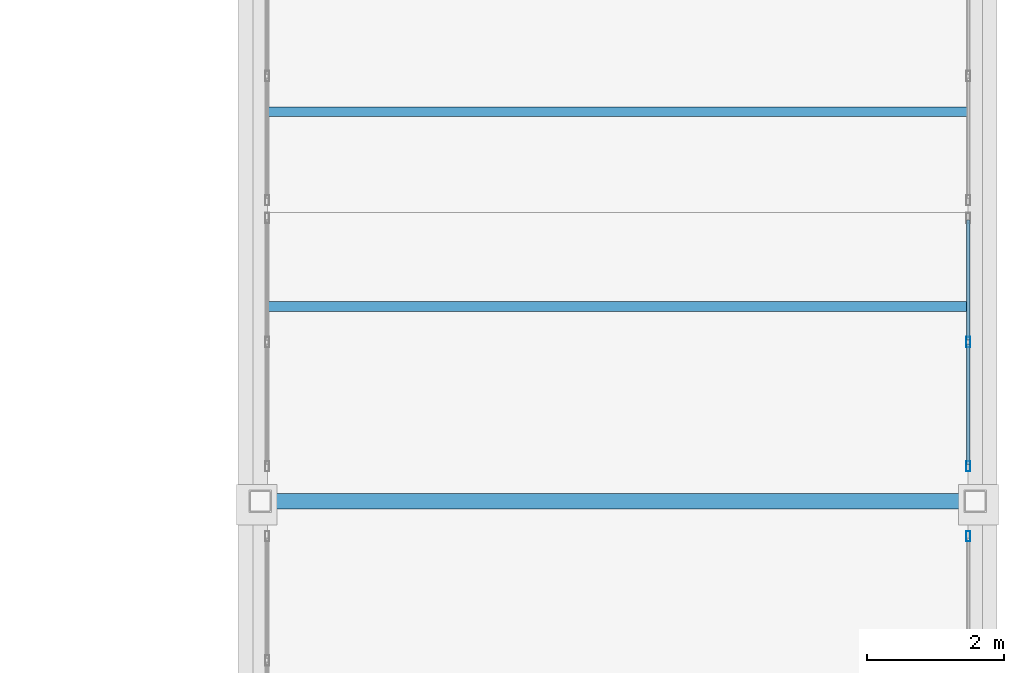
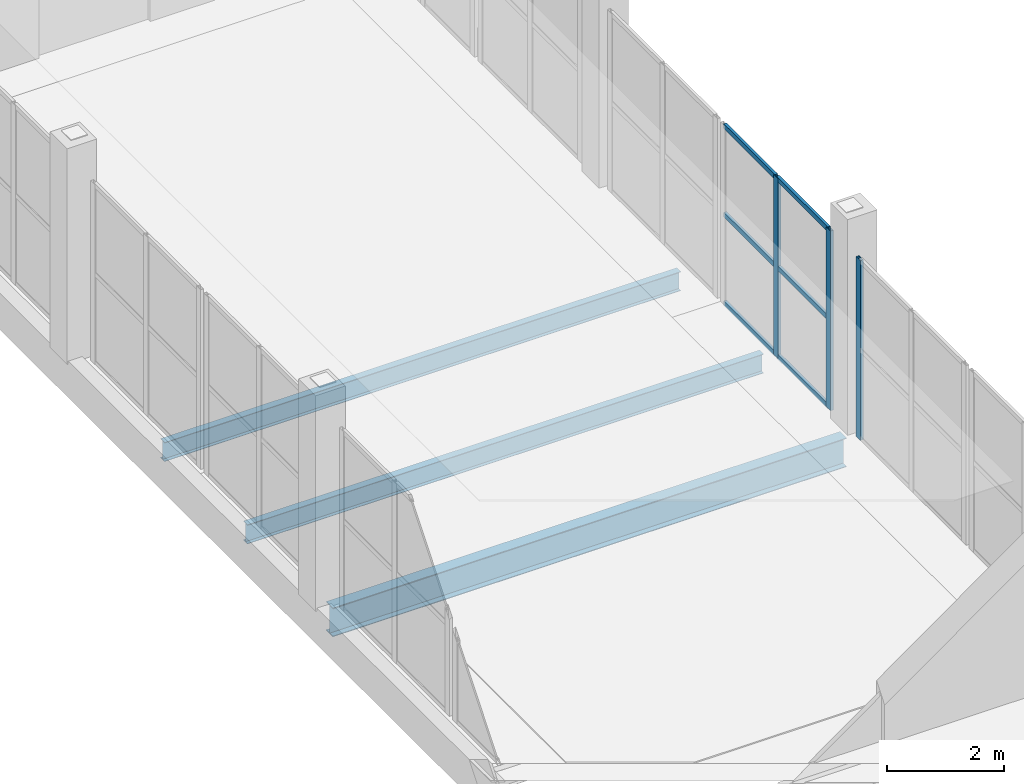
# One storey, part 76 of 156: 9 members, 3 beams, 2 elements without a shape of their own.
"""IFC4 building model written with IfcOpenShell, lengths in metres."""

from ifc_helpers import new_model, si_unit, direction, frame, origin, origin_2d, place, context, subcontext, project, spatial, hollow_rectangle, i_section, extrude, material, material_profile, profile_set, type_object, element, aggregate, save


model = new_model("IFC4")

# Units and contexts
model_context = context("Model", 3, precision=1e-05, world=origin(), true_north=direction((0.0, 1.0)))
body_context = subcontext(model_context, "Body", "Model", "MODEL_VIEW")
ifc_project = project(units=[si_unit("LENGTHUNIT", "METRE"), si_unit("AREAUNIT", "SQUARE_METRE"), si_unit("VOLUMEUNIT", "CUBIC_METRE"), si_unit("PLANEANGLEUNIT", "RADIAN"), si_unit("MASSUNIT", "GRAM", prefix="KILO")], contexts=[model_context])

# Site, building, storey
site_placement = place(None, origin())
site = spatial("IfcSite", under=ifc_project, at=site_placement, CompositionType="ELEMENT")
building_placement = place(site_placement, origin())
building = spatial("IfcBuilding", under=site, at=building_placement, Name="Caurita Quay Ferry Terminal", CompositionType="ELEMENT")
storey_placement = place(building_placement, frame((0.0, 0.0, 5.39990234375)))
storey = spatial("IfcBuildingStorey", under=building, at=storey_placement, Name="L01", CompositionType="ELEMENT", Elevation=5.39990234375)

# Beams
ifc_material_1 = material(Name="Structural steel ASTM A992 Gr. 50", Category="steel")
ifc_material_profile_1 = material_profile(ifc_material_1, i_section(OverallWidth=0.22802734375, OverallDepth=0.60205078125, WebThickness=0.010498046875, FlangeThickness=0.014892578125, at=origin_2d()), Name="W24X68")
ifc_profile_set_1 = profile_set([ifc_material_profile_1], Name="Structural steel ASTM A992 Gr. 50")
beam_type_1 = type_object("IfcBeamType", Name="BM-GR-W24C", PredefinedType="BEAM", material=ifc_profile_set_1)
beam_placement = place(storey_placement, frame((163.7294921875, 17.0, -0.535888671875), z_axis=(1.0, 0.0, 0.0), x_axis=(0.0, 1.0, 0.0)))
element("IfcBeam", 1, at=beam_placement, inside=storey, type_object=beam_type_1, Name="L01 Beam BM-V3P-L01-X-1637-170", PredefinedType="BEAM", context=body_context, shape_type="SweptSolid", body=[
    extrude(i_section(OverallWidth=0.22802734375, OverallDepth=0.60205078125, WebThickness=0.010498046875, FlangeThickness=0.014892578125, at=origin_2d()), origin(), (0.0, 0.0, 1.0), 10.14111328125),
])
ifc_material_profile_2 = material_profile(ifc_material_1, i_section(OverallWidth=0.139892578125, OverallDepth=0.39892578125, WebThickness=0.00634765625, FlangeThickness=0.0087890625, at=origin_2d()), Name="W16X26")
ifc_profile_set_2 = profile_set([ifc_material_profile_2], Name="Structural steel ASTM A992 Gr. 50")
beam_type_2 = type_object("IfcBeamType", Name="BM-JS-W16C", PredefinedType="JOIST", material=ifc_profile_set_2)
for number, where, z_axis, x_axis, name in (
    (2, (163.705322265625, 19.833251953125, -0.434326171875), (1.0, 0.0, 0.0), (0.0, 1.0, 0.0), "L01 Beam JS-V3P-L01-021"),
    (3, (163.705322265625, 22.666748046875, -0.434326171875), (1.0, 0.0, 0.0), (0.0, 1.0, 0.0), "L01 Beam JS-V3P-L01-022"),
):
    element("IfcBeam", number, at=place(storey_placement, frame(where, z_axis=z_axis, x_axis=x_axis)), inside=storey, type_object=beam_type_2, Name=name, PredefinedType="JOIST", context=body_context, shape_type="SweptSolid", body=[
        extrude(i_section(OverallWidth=0.139892578125, OverallDepth=0.39892578125, WebThickness=0.00634765625, FlangeThickness=0.0087890625, at=origin_2d()), origin(), (0.0, 0.0, 1.0), 10.189208984375),
    ])

# Curtain wall, member
ifc_material_2 = material(Name="Laminated solar-control insulated glass", Category="glass")
curtain_wall_type = type_object("IfcCurtainWallType", Name="CW-SYS-15", PredefinedType="NOTDEFINED", material=ifc_material_2)
curtain_wall_1_placement = place(storey_placement, origin())
curtain_wall_1 = element("IfcCurtainWall", 4, at=curtain_wall_1_placement, inside=storey, type_object=curtain_wall_type, Name="Boarding Gangway Ribbon Curtain Wall 131", PredefinedType="NOTDEFINED")
ifc_material_3 = material(Name="Anodized aluminium 6063-T6", Category="aluminium")
ifc_material_profile_3 = material_profile(ifc_material_3, hollow_rectangle(XDim=0.06005859375, YDim=0.14990234375, WallThickness=0.00341796875, at=origin_2d()), Name="ALU-MUL-60X150")
ifc_profile_set_3 = profile_set([ifc_material_profile_3], Name="Anodized aluminium 6063-T6")
member_type_1 = type_object("IfcMemberType", Name="CW-MUL-150", PredefinedType="MULLION", material=ifc_profile_set_3)
member_1_placement = place(storey_placement, frame((173.89990234375, 16.489990234375, 0.0), z_axis=(0.0, 0.0, 1.0), x_axis=(-1.0, 0.0, 0.0)))
member_1 = element("IfcMember", 5, at=member_1_placement, type_object=member_type_1, Name="CW-BGW-131 Mullion 3", PredefinedType="MULLION", context=body_context, shape_type="SweptSolid", body=[
    extrude(hollow_rectangle(XDim=0.06005859375, YDim=0.14990234375, WallThickness=0.00341796875, at=origin_2d()), origin(), (0.0, 0.0, 1.0), 3.75),
])
aggregate(curtain_wall_1, [member_1])

# Curtain wall, members
curtain_wall_2_placement = place(storey_placement, origin())
curtain_wall_2 = element("IfcCurtainWall", 6, at=curtain_wall_2_placement, inside=storey, type_object=curtain_wall_type, Name="Boarding Gangway Ribbon Curtain Wall 132", PredefinedType="NOTDEFINED")
member_2_placement = place(storey_placement, frame((173.89990234375, 17.510009765625, 0.0), z_axis=(0.0, 0.0, 1.0), x_axis=(-1.0, 0.0, 0.0)))
member_2 = element("IfcMember", 7, at=member_2_placement, type_object=member_type_1, Name="CW-BGW-132 Mullion 1", PredefinedType="MULLION", context=body_context, shape_type="SweptSolid", body=[
    extrude(hollow_rectangle(XDim=0.06005859375, YDim=0.14990234375, WallThickness=0.00341796875, at=origin_2d()), origin(), (0.0, 0.0, 1.0), 3.75),
])
member_3_placement = place(storey_placement, frame((173.89990234375, 19.31494140625, 0.0), z_axis=(0.0, 0.0, 1.0), x_axis=(-1.0, 0.0, 0.0)))
member_3 = element("IfcMember", 8, at=member_3_placement, type_object=member_type_1, Name="CW-BGW-132 Mullion 2", PredefinedType="MULLION", context=body_context, shape_type="SweptSolid", body=[
    extrude(hollow_rectangle(XDim=0.06005859375, YDim=0.14990234375, WallThickness=0.00341796875, at=origin_2d()), origin(), (0.0, 0.0, 1.0), 3.75),
])
ifc_material_profile_4 = material_profile(ifc_material_3, hollow_rectangle(XDim=0.054931640625, YDim=0.10009765625, WallThickness=0.00341796875, at=origin_2d()), Name="ALU-TRN-55X100")
ifc_profile_set_4 = profile_set([ifc_material_profile_4], Name="Anodized aluminium 6063-T6")
member_type_2 = type_object("IfcMemberType", Name="CW-TRN-100", PredefinedType="USERDEFINED", material=ifc_profile_set_4)
member_4_placement = place(storey_placement, frame((173.89990234375, 17.5380859375, 0.027587890625), z_axis=(0.0, 1.0, 0.0), x_axis=(-1.0, 0.0, 0.0)))
member_4 = element("IfcMember", 9, at=member_4_placement, type_object=member_type_2, Name="CW-BGW-132 Transom 1", ObjectType="TRANSOM", PredefinedType="USERDEFINED", context=body_context, shape_type="SweptSolid", body=[
    extrude(hollow_rectangle(XDim=0.054931640625, YDim=0.10009765625, WallThickness=0.00341796875, at=origin_2d()), origin(), (0.0, 0.0, 1.0), 1.7490234375),
])
member_5_placement = place(storey_placement, frame((173.89990234375, 17.5380859375, 1.875), z_axis=(0.0, 1.0, 0.0), x_axis=(-1.0, 0.0, 0.0)))
member_5 = element("IfcMember", 10, at=member_5_placement, type_object=member_type_2, Name="CW-BGW-132 Transom 2", ObjectType="TRANSOM", PredefinedType="USERDEFINED", context=body_context, shape_type="SweptSolid", body=[
    extrude(hollow_rectangle(XDim=0.054931640625, YDim=0.10009765625, WallThickness=0.00341796875, at=origin_2d()), origin(), (0.0, 0.0, 1.0), 1.7490234375),
])
member_6_placement = place(storey_placement, frame((173.89990234375, 17.5380859375, 3.72265625), z_axis=(0.0, 1.0, 0.0), x_axis=(-1.0, 0.0, 0.0)))
member_6 = element("IfcMember", 11, at=member_6_placement, type_object=member_type_2, Name="CW-BGW-132 Transom 3", ObjectType="TRANSOM", PredefinedType="USERDEFINED", context=body_context, shape_type="SweptSolid", body=[
    extrude(hollow_rectangle(XDim=0.054931640625, YDim=0.10009765625, WallThickness=0.00341796875, at=origin_2d()), origin(), (0.0, 0.0, 1.0), 1.7490234375),
])
member_7_placement = place(storey_placement, frame((173.89990234375, 19.343017578125, 0.027587890625), z_axis=(0.0, 1.0, 0.0), x_axis=(-1.0, 0.0, 0.0)))
member_7 = element("IfcMember", 12, at=member_7_placement, type_object=member_type_2, Name="CW-BGW-132 Transom 4", ObjectType="TRANSOM", PredefinedType="USERDEFINED", context=body_context, shape_type="SweptSolid", body=[
    extrude(hollow_rectangle(XDim=0.054931640625, YDim=0.10009765625, WallThickness=0.00341796875, at=origin_2d()), origin(), (0.0, 0.0, 1.0), 1.7490234375),
])
member_8_placement = place(storey_placement, frame((173.89990234375, 19.343017578125, 1.875), z_axis=(0.0, 1.0, 0.0), x_axis=(-1.0, 0.0, 0.0)))
member_8 = element("IfcMember", 13, at=member_8_placement, type_object=member_type_2, Name="CW-BGW-132 Transom 5", ObjectType="TRANSOM", PredefinedType="USERDEFINED", context=body_context, shape_type="SweptSolid", body=[
    extrude(hollow_rectangle(XDim=0.054931640625, YDim=0.10009765625, WallThickness=0.00341796875, at=origin_2d()), origin(), (0.0, 0.0, 1.0), 1.7490234375),
])
member_9_placement = place(storey_placement, frame((173.89990234375, 19.343017578125, 3.72265625), z_axis=(0.0, 1.0, 0.0), x_axis=(-1.0, 0.0, 0.0)))
member_9 = element("IfcMember", 14, at=member_9_placement, type_object=member_type_2, Name="CW-BGW-132 Transom 6", ObjectType="TRANSOM", PredefinedType="USERDEFINED", context=body_context, shape_type="SweptSolid", body=[
    extrude(hollow_rectangle(XDim=0.054931640625, YDim=0.10009765625, WallThickness=0.00341796875, at=origin_2d()), origin(), (0.0, 0.0, 1.0), 1.7490234375),
])
aggregate(curtain_wall_2, [member_2, member_3, member_4, member_5, member_6, member_7, member_8, member_9])

save(model, "model.ifc")
